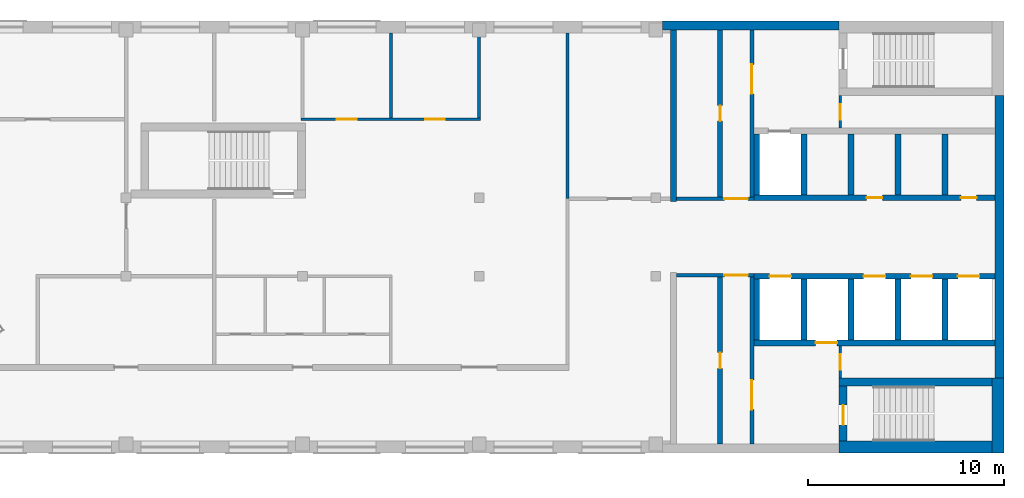
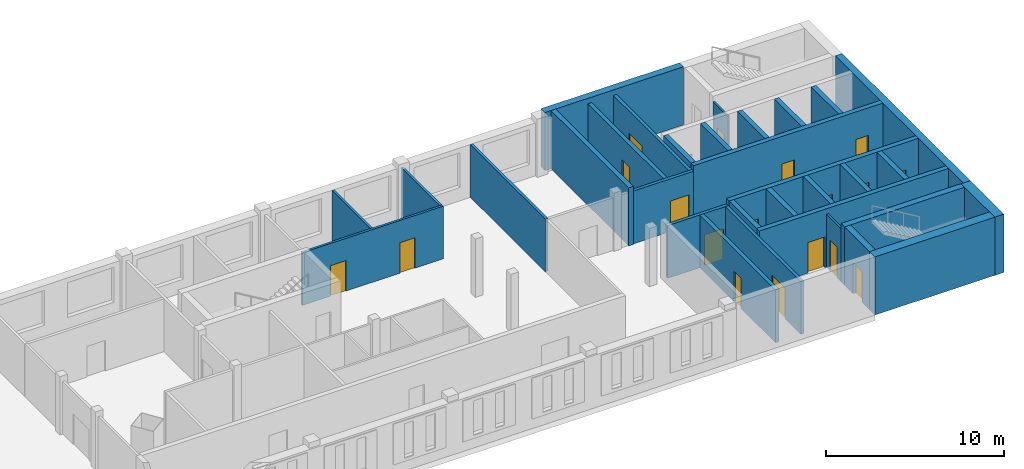
# One storey, part 3 of 5: 32 walls, 18 doors, 18 openings.
"""IFC4 building model written with IfcOpenShell, lengths in metres."""

from ifc_helpers import new_model, si_unit, direction, frame, frame_2d, origin, place, context, subcontext, project, spatial, rectangle, extrude, material, layer, layer_set, type_object, element, fill, save


model = new_model("IFC4")

# Units and contexts
model_context = context("Model", 3, precision=1e-05, world=origin(), true_north=direction((0.0, 1.0)))
body_context = subcontext(model_context, "Body", "Model", "MODEL_VIEW")
ifc_project = project(units=[si_unit("LENGTHUNIT", "METRE"), si_unit("AREAUNIT", "SQUARE_METRE"), si_unit("VOLUMEUNIT", "CUBIC_METRE"), si_unit("PLANEANGLEUNIT", "RADIAN"), si_unit("MASSUNIT", "GRAM", prefix="KILO")], contexts=[model_context])

# Site, building, storey
site_placement = place(None, origin())
site = spatial("IfcSite", under=ifc_project, at=site_placement, CompositionType="ELEMENT")
building_placement = place(site_placement, origin())
building = spatial("IfcBuilding", under=site, at=building_placement, Name="Skarvind Civic Tower", CompositionType="ELEMENT")
storey_placement = place(building_placement, frame((0.0, 0.0, 273.5)))
storey = spatial("IfcBuildingStorey", under=building, at=storey_placement, Name="L65", CompositionType="ELEMENT", Elevation=273.5)

# Wall
ifc_material_1 = material(Name="Acoustic gypsum board on steel studs", Category="steel")
ifc_layer_1 = layer(ifc_material_1, 0.175048828125)
ifc_layer_set_1 = layer_set([ifc_layer_1], Name="ACOUSTIC MEETING-ROOM PARTITION 175")
wall_type_1 = type_object("IfcWallType", Name="ACOUSTIC MEETING-ROOM PARTITION 175", PredefinedType="PARTITIONING", material=ifc_layer_set_1)
wall_1_placement = place(storey_placement, frame((85.75, 129.949951171875, 0.0), z_axis=(0.0, 0.0, 1.0), x_axis=(0.0, 1.0, 0.0)))
element("IfcWall", 1, at=wall_1_placement, inside=storey, type_object=wall_type_1, Name="Partition 65.021", PredefinedType="PARTITIONING", context=body_context, shape_type="SweptSolid", body=[
    extrude(rectangle(XDim=8.449951171875, YDim=0.175048828125, at=frame_2d((4.22509765625, 0.0))), origin(), (0.0, 0.0, 1.0), 3.625),
])

# Wall, opening, door
ifc_material_2 = material(Name="Fire-rated masonry partition", Category="masonry")
ifc_layer_2 = layer(ifc_material_2, 0.199951171875)
ifc_layer_set_2 = layer_set([ifc_layer_2], Name="Core enclosure wall 200")
wall_type_2 = type_object("IfcWallType", Name="Core enclosure wall 200", PredefinedType="PARTITIONING", material=ifc_layer_set_2)
wall_2_placement = place(storey_placement, frame((95.25, 126.050048828125, 0.0), z_axis=(0.0, 0.0, 1.0), x_axis=(-1.0, 0.0, 0.0)))
wall_2 = element("IfcWall", 2, at=wall_2_placement, inside=storey, type_object=wall_type_2, Name="Core wall C1", PredefinedType="PARTITIONING", context=body_context, shape_type="SweptSolid", body=[
    extrude(rectangle(XDim=3.949951171875, YDim=0.199951171875, at=frame_2d((1.97509765625, 0.0))), origin(), (0.0, 0.0, 1.0), 3.625),
])
opening_1_placement = place(wall_2_placement, frame((0.300048828125, 0.0, 0.0)))
opening_1 = element("IfcOpeningElement", 3, at=opening_1_placement, cuts=wall_2, Name="Opening D-L65-C1-07", PredefinedType="OPENING", context=body_context, shape_type="SweptSolid", body=[
    extrude(rectangle(XDim=1.199951171875, YDim=2.10009765625, at=frame_2d((0.60009765625, 1.050048828125))), frame((0.0, 0.10986328125, 0.0), z_axis=(0.0, -1.0, 0.0), x_axis=(1.0, 0.0, 0.0)), (0.0, 0.0, 1.0), 0.219970703125),
])
ifc_material_3 = material(Name="Fire-rated steel door", Category="steel")
door_type_1 = type_object("IfcDoorType", Name="Core lobby door 1200", OperationType="NOTDEFINED", PredefinedType="DOOR", material=ifc_material_3)
door_1_placement = place(opening_1_placement, origin())
door_1 = element("IfcDoor", 4, at=door_1_placement, inside=storey, type_object=door_type_1, Name="Fire door", OperationType="DOUBLE_DOOR_SINGLE_SWING", OverallHeight=2.10009765625, OverallWidth=1.199951171875, PredefinedType="DOOR", context=body_context, shape_type="SweptSolid", body=[
    extrude(rectangle(XDim=1.199951171875, YDim=2.10009765625, at=frame_2d((0.60009765625, 1.050048828125))), frame((0.0, 0.02490234375, 0.0), z_axis=(0.0, -1.0, 0.0), x_axis=(1.0, 0.0, 0.0)), (0.0, 0.0, 1.0), 0.050048828125),
])
fill(opening_1, door_1)

wall_3_placement = place(storey_placement, frame((95.14990234375, 117.449951171875, 0.0), z_axis=(0.0, 0.0, 1.0), x_axis=(0.0, 1.0, 0.0)))
wall_3 = element("IfcWall", 5, at=wall_3_placement, inside=storey, type_object=wall_type_2, Name="Core wall C1", PredefinedType="PARTITIONING", context=body_context, shape_type="SweptSolid", body=[
    extrude(rectangle(XDim=8.5, YDim=0.199951171875, at=frame_2d((4.25, 0.0))), origin(), (0.0, 0.0, 1.0), 3.625),
])
opening_2_placement = place(wall_3_placement, frame((1.75, 0.0, 0.0)))
opening_2 = element("IfcOpeningElement", 6, at=opening_2_placement, cuts=wall_3, Name="Opening D-L65-C1-08", PredefinedType="OPENING", context=body_context, shape_type="SweptSolid", body=[
    extrude(rectangle(XDim=1.5, YDim=2.10009765625, at=frame_2d((0.75, 1.050048828125))), frame((0.0, 0.10986328125, 0.0), z_axis=(0.0, -1.0, 0.0), x_axis=(1.0, 0.0, 0.0)), (0.0, 0.0, 1.0), 0.219970703125),
])
door_type_2 = type_object("IfcDoorType", Name="Fire door 1500", OperationType="NOTDEFINED", PredefinedType="DOOR", material=ifc_material_3)
door_2_placement = place(opening_2_placement, origin())
door_2 = element("IfcDoor", 7, at=door_2_placement, inside=storey, type_object=door_type_2, Name="Fire door", OperationType="DOUBLE_DOOR_SINGLE_SWING", OverallHeight=2.10009765625, OverallWidth=1.5, PredefinedType="DOOR", context=body_context, shape_type="SweptSolid", body=[
    extrude(rectangle(XDim=1.5, YDim=2.10009765625, at=frame_2d((0.75, 1.050048828125))), frame((0.0, 0.02490234375, 0.0), z_axis=(0.0, -1.0, 0.0), x_axis=(1.0, 0.0, 0.0)), (0.0, 0.0, 1.0), 0.050048828125),
])
fill(opening_2, door_2)

wall_4_placement = place(storey_placement, frame((91.300048828125, 129.949951171875, 0.0), z_axis=(0.0, 0.0, 1.0), x_axis=(1.0, 0.0, 0.0)))
wall_4 = element("IfcWall", 8, at=wall_4_placement, inside=storey, type_object=wall_type_2, Name="Core wall C1", PredefinedType="PARTITIONING", context=body_context, shape_type="SweptSolid", body=[
    extrude(rectangle(XDim=3.949951171875, YDim=0.199951171875, at=frame_2d((1.97509765625, 0.0))), origin(), (0.0, 0.0, 1.0), 3.625),
])
opening_3_placement = place(wall_4_placement, frame((2.449951171875, 0.0, 0.0)))
opening_3 = element("IfcOpeningElement", 9, at=opening_3_placement, cuts=wall_4, Name="Opening D-L65-C1-12", PredefinedType="OPENING", context=body_context, shape_type="SweptSolid", body=[
    extrude(rectangle(XDim=1.199951171875, YDim=2.10009765625, at=frame_2d((0.60009765625, 1.050048828125))), frame((0.0, 0.10986328125, 0.0), z_axis=(0.0, -1.0, 0.0), x_axis=(1.0, 0.0, 0.0)), (0.0, 0.0, 1.0), 0.219970703125),
])
door_3_placement = place(opening_3_placement, origin())
door_3 = element("IfcDoor", 10, at=door_3_placement, inside=storey, type_object=door_type_1, Name="Fire door", OperationType="DOUBLE_DOOR_SINGLE_SWING", OverallHeight=2.10009765625, OverallWidth=1.199951171875, PredefinedType="DOOR", context=body_context, shape_type="SweptSolid", body=[
    extrude(rectangle(XDim=1.199951171875, YDim=2.10009765625, at=frame_2d((0.60009765625, 1.050048828125))), frame((0.0, 0.02490234375, 0.0), z_axis=(0.0, -1.0, 0.0), x_axis=(1.0, 0.0, 0.0)), (0.0, 0.0, 1.0), 0.050048828125),
])
fill(opening_3, door_3)

wall_5_placement = place(storey_placement, frame((95.14990234375, 130.050048828125, 0.0), z_axis=(0.0, 0.0, 1.0), x_axis=(0.0, 1.0, 0.0)))
wall_5 = element("IfcWall", 11, at=wall_5_placement, inside=storey, type_object=wall_type_2, Name="Core wall C1", PredefinedType="PARTITIONING", context=body_context, shape_type="SweptSolid", body=[
    extrude(rectangle(XDim=8.5, YDim=0.199951171875, at=frame_2d((4.25, 0.0))), origin(), (0.0, 0.0, 1.0), 3.625),
])
opening_4_placement = place(wall_5_placement, frame((5.25, 0.0, 0.0)))
opening_4 = element("IfcOpeningElement", 12, at=opening_4_placement, cuts=wall_5, Name="Opening D-L65-C1-13", PredefinedType="OPENING", context=body_context, shape_type="SweptSolid", body=[
    extrude(rectangle(XDim=1.5, YDim=2.10009765625, at=frame_2d((0.75, 1.050048828125))), frame((0.0, 0.10986328125, 0.0), z_axis=(0.0, -1.0, 0.0), x_axis=(1.0, 0.0, 0.0)), (0.0, 0.0, 1.0), 0.219970703125),
])
door_4_placement = place(opening_4_placement, origin())
door_4 = element("IfcDoor", 13, at=door_4_placement, inside=storey, type_object=door_type_2, Name="Fire door", OperationType="DOUBLE_DOOR_SINGLE_SWING", OverallHeight=2.10009765625, OverallWidth=1.5, PredefinedType="DOOR", context=body_context, shape_type="SweptSolid", body=[
    extrude(rectangle(XDim=1.5, YDim=2.10009765625, at=frame_2d((0.75, 1.050048828125))), frame((0.0, 0.02490234375, 0.0), z_axis=(0.0, -1.0, 0.0), x_axis=(1.0, 0.0, 0.0)), (0.0, 0.0, 1.0), 0.050048828125),
])
fill(opening_4, door_4)

# Wall, openings, doors
ifc_material_4 = material(Name="Concrete C60", Category="concrete")
ifc_layer_3 = layer(ifc_material_4, 0.300048828125)
ifc_layer_set_3 = layer_set([ifc_layer_3], Name="Core wall 300 C60")
wall_type_3 = type_object("IfcWallType", Name="Core wall 300 C60", PredefinedType="SHEAR", material=ifc_layer_set_3)
wall_6_placement = place(storey_placement, frame((107.550048828125, 130.0, 0.0), z_axis=(0.0, 0.0, 1.0), x_axis=(-1.0, 0.0, 0.0)))
wall_6 = element("IfcWall", 14, at=wall_6_placement, inside=storey, type_object=wall_type_3, Name="Core wall C1 south lift row front L65", PredefinedType="SHEAR", context=body_context, shape_type="SweptSolid", body=[
    extrude(rectangle(XDim=12.300048828125, YDim=0.300048828125, at=frame_2d((6.14990234375, 0.0))), origin(), (0.0, 0.0, 1.0), 4.0),
])
opening_5_placement = place(wall_6_placement, frame((0.949951171875, 0.0, 0.0)))
opening_5 = element("IfcOpeningElement", 15, at=opening_5_placement, cuts=wall_6, Name="Opening D-L65-C1-05", PredefinedType="OPENING", context=body_context, shape_type="SweptSolid", body=[
    extrude(rectangle(XDim=0.800048828125, YDim=2.10009765625, at=frame_2d((0.39990234375, 1.050048828125))), frame((0.0, 0.159912109375, 0.0), z_axis=(0.0, -1.0, 0.0), x_axis=(1.0, 0.0, 0.0)), (0.0, 0.0, 1.0), 0.320068359375),
])
opening_6_placement = place(wall_6_placement, frame((5.75, 0.0, 0.0)))
opening_6 = element("IfcOpeningElement", 16, at=opening_6_placement, cuts=wall_6, Name="Opening D-L65-C1-06", PredefinedType="OPENING", context=body_context, shape_type="SweptSolid", body=[
    extrude(rectangle(XDim=0.800048828125, YDim=2.10009765625, at=frame_2d((0.39990234375, 1.050048828125))), frame((0.0, 0.159912109375, 0.0), z_axis=(0.0, -1.0, 0.0), x_axis=(1.0, 0.0, 0.0)), (0.0, 0.0, 1.0), 0.320068359375),
])
door_type_3 = type_object("IfcDoorType", Name="Core riser door 800", OperationType="NOTDEFINED", PredefinedType="DOOR", material=ifc_material_3)
door_5_placement = place(opening_5_placement, origin())
door_5 = element("IfcDoor", 17, at=door_5_placement, inside=storey, type_object=door_type_3, Name="Riser door", OperationType="SINGLE_SWING_LEFT", OverallHeight=2.10009765625, OverallWidth=0.800048828125, PredefinedType="DOOR", context=body_context, shape_type="SweptSolid", body=[
    extrude(rectangle(XDim=0.800048828125, YDim=2.10009765625, at=frame_2d((0.39990234375, 1.050048828125))), frame((0.0, 0.02490234375, 0.0), z_axis=(0.0, -1.0, 0.0), x_axis=(1.0, 0.0, 0.0)), (0.0, 0.0, 1.0), 0.050048828125),
])
fill(opening_5, door_5)
door_6_placement = place(opening_6_placement, origin())
door_6 = element("IfcDoor", 18, at=door_6_placement, inside=storey, type_object=door_type_3, Name="Riser door", OperationType="SINGLE_SWING_RIGHT", OverallHeight=2.10009765625, OverallWidth=0.800048828125, PredefinedType="DOOR", context=body_context, shape_type="SweptSolid", body=[
    extrude(rectangle(XDim=0.800048828125, YDim=2.10009765625, at=frame_2d((0.39990234375, 1.050048828125))), frame((0.0, 0.02490234375, 0.0), z_axis=(0.0, -1.0, 0.0), x_axis=(1.0, 0.0, 0.0)), (0.0, 0.0, 1.0), 0.050048828125),
])
fill(opening_6, door_6)

# Walls
for number, where, z_axis, x_axis, name in (
    (19, (105.0, 133.25, 0.0), (0.0, 0.0, 1.0), (0.0, -1.0, 0.0), "Core wall C1 south lift row division 1 L65"),
    (20, (102.60009765625, 133.25, 0.0), (0.0, 0.0, 1.0), (0.0, -1.0, 0.0), "Core wall C1 south lift row division 2 L65"),
    (21, (100.199951171875, 133.25, 0.0), (0.0, 0.0, 1.0), (0.0, -1.0, 0.0), "Core wall C1 south lift row division 3 L65"),
    (22, (97.800048828125, 133.25, 0.0), (0.0, 0.0, 1.0), (0.0, -1.0, 0.0), "Core wall C1 south lift row division 4 L65"),
    (23, (95.39990234375, 133.25, 0.0), (0.0, 0.0, 1.0), (0.0, -1.0, 0.0), "Core wall C1 south lift row division 5 L65"),
):
    element("IfcWall", number, at=place(storey_placement, frame(where, z_axis=z_axis, x_axis=x_axis)), inside=storey, type_object=wall_type_3, Name=name, PredefinedType="SHEAR", context=body_context, shape_type="SweptSolid", body=[
        extrude(rectangle(XDim=3.10009765625, YDim=0.300048828125, at=frame_2d((1.550048828125, 0.0))), origin(), (0.0, 0.0, 1.0), 4.0),
    ])

# Wall, openings, doors
wall_7_placement = place(storey_placement, frame((107.550048828125, 126.0, 0.0), z_axis=(0.0, 0.0, 1.0), x_axis=(-1.0, 0.0, 0.0)))
wall_7 = element("IfcWall", 24, at=wall_7_placement, inside=storey, type_object=wall_type_3, Name="Core wall C1 north lift row front L65", PredefinedType="SHEAR", context=body_context, shape_type="SweptSolid", body=[
    extrude(rectangle(XDim=12.300048828125, YDim=0.300048828125, at=frame_2d((6.14990234375, 0.0))), origin(), (0.0, 0.0, 1.0), 4.0),
])
opening_7_placement = place(wall_7_placement, frame((0.800048828125, 0.0, 0.0)))
opening_7 = element("IfcOpeningElement", 25, at=opening_7_placement, cuts=wall_7, Name="Opening LD67101", PredefinedType="OPENING", context=body_context, shape_type="SweptSolid", body=[
    extrude(rectangle(XDim=1.10009765625, YDim=2.10009765625, at=frame_2d((0.550048828125, 1.050048828125))), frame((0.0, 0.159912109375, 0.0), z_axis=(0.0, -1.0, 0.0), x_axis=(1.0, 0.0, 0.0)), (0.0, 0.0, 1.0), 0.320068359375),
])
opening_8_placement = place(wall_7_placement, frame((3.199951171875, 0.0, 0.0)))
opening_8 = element("IfcOpeningElement", 26, at=opening_8_placement, cuts=wall_7, Name="Opening LD67102", PredefinedType="OPENING", context=body_context, shape_type="SweptSolid", body=[
    extrude(rectangle(XDim=1.10009765625, YDim=2.10009765625, at=frame_2d((0.550048828125, 1.050048828125))), frame((0.0, 0.159912109375, 0.0), z_axis=(0.0, -1.0, 0.0), x_axis=(1.0, 0.0, 0.0)), (0.0, 0.0, 1.0), 0.320068359375),
])
opening_9_placement = place(wall_7_placement, frame((5.60009765625, 0.0, 0.0)))
opening_9 = element("IfcOpeningElement", 27, at=opening_9_placement, cuts=wall_7, Name="Opening LD67103", PredefinedType="OPENING", context=body_context, shape_type="SweptSolid", body=[
    extrude(rectangle(XDim=1.10009765625, YDim=2.10009765625, at=frame_2d((0.550048828125, 1.050048828125))), frame((0.0, 0.159912109375, 0.0), z_axis=(0.0, -1.0, 0.0), x_axis=(1.0, 0.0, 0.0)), (0.0, 0.0, 1.0), 0.320068359375),
])
opening_10_placement = place(wall_7_placement, frame((10.39990234375, 0.0, 0.0)))
opening_10 = element("IfcOpeningElement", 28, at=opening_10_placement, cuts=wall_7, Name="Opening LD67105", PredefinedType="OPENING", context=body_context, shape_type="SweptSolid", body=[
    extrude(rectangle(XDim=1.10009765625, YDim=2.10009765625, at=frame_2d((0.550048828125, 1.050048828125))), frame((0.0, 0.159912109375, 0.0), z_axis=(0.0, -1.0, 0.0), x_axis=(1.0, 0.0, 0.0)), (0.0, 0.0, 1.0), 0.320068359375),
])
ifc_material_5 = material(Name="Stainless steel landing door", Category="steel")
door_type_4 = type_object("IfcDoorType", Name="Lift landing door 1100", OperationType="DOUBLE_DOOR_SLIDING", PredefinedType="DOOR", material=ifc_material_5)
door_7_placement = place(opening_7_placement, origin())
door_7 = element("IfcDoor", 29, at=door_7_placement, inside=storey, type_object=door_type_4, Name="Lift landing door", OperationType="DOUBLE_DOOR_SLIDING", OverallHeight=2.10009765625, OverallWidth=1.10009765625, PredefinedType="DOOR", context=body_context, shape_type="SweptSolid", body=[
    extrude(rectangle(XDim=1.10009765625, YDim=2.10009765625, at=frame_2d((0.550048828125, 1.050048828125))), frame((0.0, 0.02490234375, 0.0), z_axis=(0.0, -1.0, 0.0), x_axis=(1.0, 0.0, 0.0)), (0.0, 0.0, 1.0), 0.050048828125),
])
fill(opening_7, door_7)
door_8_placement = place(opening_8_placement, origin())
door_8 = element("IfcDoor", 30, at=door_8_placement, inside=storey, type_object=door_type_4, Name="Lift landing door", OperationType="DOUBLE_DOOR_SLIDING", OverallHeight=2.10009765625, OverallWidth=1.10009765625, PredefinedType="DOOR", context=body_context, shape_type="SweptSolid", body=[
    extrude(rectangle(XDim=1.10009765625, YDim=2.10009765625, at=frame_2d((0.550048828125, 1.050048828125))), frame((0.0, 0.02490234375, 0.0), z_axis=(0.0, -1.0, 0.0), x_axis=(1.0, 0.0, 0.0)), (0.0, 0.0, 1.0), 0.050048828125),
])
fill(opening_8, door_8)
door_9_placement = place(opening_9_placement, origin())
door_9 = element("IfcDoor", 31, at=door_9_placement, inside=storey, type_object=door_type_4, Name="Lift landing door", OperationType="DOUBLE_DOOR_SLIDING", OverallHeight=2.10009765625, OverallWidth=1.10009765625, PredefinedType="DOOR", context=body_context, shape_type="SweptSolid", body=[
    extrude(rectangle(XDim=1.10009765625, YDim=2.10009765625, at=frame_2d((0.550048828125, 1.050048828125))), frame((0.0, 0.02490234375, 0.0), z_axis=(0.0, -1.0, 0.0), x_axis=(1.0, 0.0, 0.0)), (0.0, 0.0, 1.0), 0.050048828125),
])
fill(opening_9, door_9)
door_10_placement = place(opening_10_placement, origin())
door_10 = element("IfcDoor", 32, at=door_10_placement, inside=storey, type_object=door_type_4, Name="Lift landing door", OperationType="DOUBLE_DOOR_SLIDING", OverallHeight=2.10009765625, OverallWidth=1.10009765625, PredefinedType="DOOR", context=body_context, shape_type="SweptSolid", body=[
    extrude(rectangle(XDim=1.10009765625, YDim=2.10009765625, at=frame_2d((0.550048828125, 1.050048828125))), frame((0.0, 0.02490234375, 0.0), z_axis=(0.0, -1.0, 0.0), x_axis=(1.0, 0.0, 0.0)), (0.0, 0.0, 1.0), 0.050048828125),
])
fill(opening_10, door_10)

# Wall, opening, door
wall_8_placement = place(storey_placement, frame((107.550048828125, 122.60009765625, 0.0), z_axis=(0.0, 0.0, 1.0), x_axis=(-1.0, 0.0, 0.0)))
wall_8 = element("IfcWall", 33, at=wall_8_placement, inside=storey, type_object=wall_type_3, Name="Core wall C1 north lift row back L65", PredefinedType="SHEAR", context=body_context, shape_type="SweptSolid", body=[
    extrude(rectangle(XDim=12.300048828125, YDim=0.300048828125, at=frame_2d((6.14990234375, 0.0))), origin(), (0.0, 0.0, 1.0), 4.0),
])
opening_11_placement = place(wall_8_placement, frame((8.050048828125, 0.0, 0.0)))
opening_11 = element("IfcOpeningElement", 34, at=opening_11_placement, cuts=wall_8, Name="Opening LD67104", PredefinedType="OPENING", context=body_context, shape_type="SweptSolid", body=[
    extrude(rectangle(XDim=1.10009765625, YDim=2.10009765625, at=frame_2d((0.550048828125, 1.050048828125))), frame((0.0, 0.159912109375, 0.0), z_axis=(0.0, -1.0, 0.0), x_axis=(1.0, 0.0, 0.0)), (0.0, 0.0, 1.0), 0.320068359375),
])
door_11_placement = place(opening_11_placement, origin())
door_11 = element("IfcDoor", 35, at=door_11_placement, inside=storey, type_object=door_type_4, Name="Lift landing door", OperationType="DOUBLE_DOOR_SLIDING", OverallHeight=2.10009765625, OverallWidth=1.10009765625, PredefinedType="DOOR", context=body_context, shape_type="SweptSolid", body=[
    extrude(rectangle(XDim=1.10009765625, YDim=2.10009765625, at=frame_2d((0.550048828125, 1.050048828125))), frame((0.0, 0.02490234375, 0.0), z_axis=(0.0, -1.0, 0.0), x_axis=(1.0, 0.0, 0.0)), (0.0, 0.0, 1.0), 0.050048828125),
])
fill(opening_11, door_11)

# Walls
for number, where, z_axis, x_axis, name in (
    (36, (105.0, 125.85009765625, 0.0), (0.0, 0.0, 1.0), (0.0, -1.0, 0.0), "Core wall C1 north lift row division 1 L65"),
    (37, (102.60009765625, 125.85009765625, 0.0), (0.0, 0.0, 1.0), (0.0, -1.0, 0.0), "Core wall C1 north lift row division 2 L65"),
    (38, (100.199951171875, 125.85009765625, 0.0), (0.0, 0.0, 1.0), (0.0, -1.0, 0.0), "Core wall C1 north lift row division 3 L65"),
    (39, (97.800048828125, 125.85009765625, 0.0), (0.0, 0.0, 1.0), (0.0, -1.0, 0.0), "Core wall C1 north lift row division 4 L65"),
    (40, (95.39990234375, 125.85009765625, 0.0), (0.0, 0.0, 1.0), (0.0, -1.0, 0.0), "Core wall C1 north lift row division 5 L65"),
):
    element("IfcWall", number, at=place(storey_placement, frame(where, z_axis=z_axis, x_axis=x_axis)), inside=storey, type_object=wall_type_3, Name=name, PredefinedType="SHEAR", context=body_context, shape_type="SweptSolid", body=[
        extrude(rectangle(XDim=3.10009765625, YDim=0.300048828125, at=frame_2d((1.550048828125, 0.0))), origin(), (0.0, 0.0, 1.0), 4.0),
    ])
wall_9_placement = place(storey_placement, frame((91.14990234375, 138.550048828125, 0.0), z_axis=(0.0, 0.0, 1.0), x_axis=(0.0, -1.0, 0.0)))
element("IfcWall", 41, at=wall_9_placement, inside=storey, type_object=wall_type_3, Name="Core wall C1 south inner face L65", PredefinedType="SHEAR", context=body_context, shape_type="SweptSolid", body=[
    extrude(rectangle(XDim=8.75, YDim=0.300048828125, at=frame_2d((4.375, 0.0))), origin(), (0.0, 0.0, 1.0), 4.0),
])
ifc_layer_4 = layer(ifc_material_4, 0.39990234375)
ifc_layer_set_4 = layer_set([ifc_layer_4], Name="Core wall 400 C60")
wall_type_4 = type_object("IfcWallType", Name="Core wall 400 C60", PredefinedType="SHEAR", material=ifc_layer_set_4)
wall_10_placement = place(storey_placement, frame((107.39990234375, 120.60009765625, 0.0), z_axis=(0.0, 0.0, 1.0), x_axis=(-1.0, 0.0, 0.0)))
element("IfcWall", 42, at=wall_10_placement, inside=storey, type_object=wall_type_4, Name="Core wall C1 north stair inner L65", PredefinedType="SHEAR", context=body_context, shape_type="SweptSolid", body=[
    extrude(rectangle(XDim=7.7998046875, YDim=0.39990234375, at=frame_2d((3.89990234375, 0.0))), origin(), (0.0, 0.0, 1.0), 4.0),
])

# Wall, opening, door
wall_11_placement = place(storey_placement, frame((99.800048828125, 120.39990234375, 0.0), z_axis=(0.0, 0.0, 1.0), x_axis=(0.0, -1.0, 0.0)))
wall_11 = element("IfcWall", 43, at=wall_11_placement, inside=storey, type_object=wall_type_4, Name="Core wall C1 north stair end L65", PredefinedType="SHEAR", context=body_context, shape_type="SweptSolid", body=[
    extrude(rectangle(XDim=2.7998046875, YDim=0.39990234375, at=frame_2d((1.39990234375, 0.0))), origin(), (0.0, 0.0, 1.0), 4.0),
])
opening_12_placement = place(wall_11_placement, frame((0.97509765625, 0.0, 0.0)))
opening_12 = element("IfcOpeningElement", 44, at=opening_12_placement, cuts=wall_11, Name="Opening D-L65-C1-09", PredefinedType="OPENING", context=body_context, shape_type="SweptSolid", body=[
    extrude(rectangle(XDim=1.0, YDim=2.10009765625, at=frame_2d((0.5, 1.050048828125))), frame((0.0, 0.2099609375, 0.0), z_axis=(0.0, -1.0, 0.0), x_axis=(1.0, 0.0, 0.0)), (0.0, 0.0, 1.0), 0.419921875),
])
door_type_5 = type_object("IfcDoorType", Name="Fire door 1000", OperationType="NOTDEFINED", PredefinedType="DOOR", material=ifc_material_3)
door_12_placement = place(opening_12_placement, origin())
door_12 = element("IfcDoor", 45, at=door_12_placement, inside=storey, type_object=door_type_5, Name="Fire door", OperationType="SINGLE_SWING_LEFT", OverallHeight=2.10009765625, OverallWidth=1.0, PredefinedType="DOOR", context=body_context, shape_type="SweptSolid", body=[
    extrude(rectangle(XDim=1.0, YDim=2.10009765625, at=frame_2d((0.5, 1.050048828125))), frame((0.0, 0.02490234375, 0.0), z_axis=(0.0, -1.0, 0.0), x_axis=(1.0, 0.0, 0.0)), (0.0, 0.0, 1.0), 0.050048828125),
])
fill(opening_12, door_12)

# Walls
ifc_layer_5 = layer(ifc_material_4, 0.449951171875)
ifc_layer_set_5 = layer_set([ifc_layer_5], Name="Core wall 450 C60")
wall_type_5 = type_object("IfcWallType", Name="Core wall 450 C60", PredefinedType="SHEAR", material=ifc_layer_set_5)
wall_12_placement = place(storey_placement, frame((107.77490234375, 135.199951171875, 0.0), z_axis=(0.0, 0.0, 1.0), x_axis=(0.0, -1.0, 0.0)))
element("IfcWall", 46, at=wall_12_placement, inside=storey, type_object=wall_type_5, Name="Core wall C1 tip between the stairs L65", PredefinedType="SHEAR", context=body_context, shape_type="SweptSolid", body=[
    extrude(rectangle(XDim=14.39990234375, YDim=0.449951171875, at=frame_2d((7.199951171875, 0.0))), origin(), (0.0, 0.0, 1.0), 4.0),
])
wall_13_placement = place(storey_placement, frame((99.60009765625, 138.77490234375, 0.0), z_axis=(0.0, 0.0, 1.0), x_axis=(-1.0, 0.0, 0.0)))
element("IfcWall", 47, at=wall_13_placement, inside=storey, type_object=wall_type_5, Name="Core wall C1 south side L65", PredefinedType="SHEAR", context=body_context, shape_type="SweptSolid", body=[
    extrude(rectangle(XDim=9.0, YDim=0.449951171875, at=frame_2d((4.5, 0.0))), origin(), (0.0, 0.0, 1.0), 4.0),
])
ifc_layer_6 = layer(ifc_material_4, 0.60009765625)
ifc_layer_set_6 = layer_set([ifc_layer_6], Name="Core wall 600 C60")
wall_type_6 = type_object("IfcWallType", Name="Core wall 600 C60", PredefinedType="SHEAR", material=ifc_layer_set_6)
wall_14_placement = place(storey_placement, frame((107.699951171875, 120.800048828125, 0.0), z_axis=(0.0, 0.0, 1.0), x_axis=(0.0, -1.0, 0.0)))
element("IfcWall", 48, at=wall_14_placement, inside=storey, type_object=wall_type_6, Name="Core wall C1 tip at the north stair L65", PredefinedType="SHEAR", context=body_context, shape_type="SweptSolid", body=[
    extrude(rectangle(XDim=3.800048828125, YDim=0.60009765625, at=frame_2d((1.89990234375, 0.0))), origin(), (0.0, 0.0, 1.0), 4.0),
])
wall_15_placement = place(storey_placement, frame((107.39990234375, 117.300048828125, 0.0), z_axis=(0.0, 0.0, 1.0), x_axis=(-1.0, 0.0, 0.0)))
element("IfcWall", 49, at=wall_15_placement, inside=storey, type_object=wall_type_6, Name="Core wall C1 north side at the stair L65", PredefinedType="SHEAR", context=body_context, shape_type="SweptSolid", body=[
    extrude(rectangle(XDim=7.7998046875, YDim=0.60009765625, at=frame_2d((3.89990234375, 0.0))), origin(), (0.0, 0.0, 1.0), 4.0),
])

# Wall, openings, doors
ifc_material_6 = material(Name="Plasterboard partition on steel studs", Category="steel")
ifc_layer_7 = layer(ifc_material_6, 0.14990234375)
ifc_layer_set_7 = layer_set([ifc_layer_7], Name="PARTITION 150")
wall_type_7 = type_object("IfcWallType", Name="PARTITION 150", PredefinedType="PARTITIONING", material=ifc_layer_set_7)
wall_16_placement = place(storey_placement, frame((81.324951171875, 134.0, 0.0), z_axis=(0.0, 0.0, 1.0), x_axis=(-1.0, 0.0, 0.0)))
wall_16 = element("IfcWall", 50, at=wall_16_placement, inside=storey, type_object=wall_type_7, Name="Partition 65.015", PredefinedType="PARTITIONING", context=body_context, shape_type="SweptSolid", body=[
    extrude(rectangle(XDim=9.14990234375, YDim=0.14990234375, at=frame_2d((4.574951171875, 0.0))), origin(), (0.0, 0.0, 1.0), 3.625),
])
opening_13_placement = place(wall_16_placement, frame((1.824951171875, 0.0, 0.0)))
opening_13 = element("IfcOpeningElement", 51, at=opening_13_placement, cuts=wall_16, Name="Opening L65-D006", PredefinedType="OPENING", context=body_context, shape_type="SweptSolid", body=[
    extrude(rectangle(XDim=1.0, YDim=2.10009765625, at=frame_2d((0.5, 1.050048828125))), frame((0.0, 0.0849609375, 0.0), z_axis=(0.0, -1.0, 0.0), x_axis=(1.0, 0.0, 0.0)), (0.0, 0.0, 1.0), 0.169921875),
])
opening_14_placement = place(wall_16_placement, frame((6.324951171875, 0.0, 0.0)))
opening_14 = element("IfcOpeningElement", 52, at=opening_14_placement, cuts=wall_16, Name="Opening L65-D007", PredefinedType="OPENING", context=body_context, shape_type="SweptSolid", body=[
    extrude(rectangle(XDim=1.0, YDim=2.10009765625, at=frame_2d((0.5, 1.050048828125))), frame((0.0, 0.0849609375, 0.0), z_axis=(0.0, -1.0, 0.0), x_axis=(1.0, 0.0, 0.0)), (0.0, 0.0, 1.0), 0.169921875),
])
ifc_material_7 = material(Name="Timber door leaf", Category="wood")
door_type_6 = type_object("IfcDoorType", Name="D1 1000x2100", OperationType="NOTDEFINED", PredefinedType="DOOR", material=ifc_material_7)
door_13_placement = place(opening_13_placement, origin())
door_13 = element("IfcDoor", 53, at=door_13_placement, inside=storey, type_object=door_type_6, Name="Door L65-D006", OperationType="SINGLE_SWING_LEFT", OverallHeight=2.10009765625, OverallWidth=1.0, PredefinedType="DOOR", context=body_context, shape_type="SweptSolid", body=[
    extrude(rectangle(XDim=1.0, YDim=2.10009765625, at=frame_2d((0.5, 1.050048828125))), frame((0.0, 0.02490234375, 0.0), z_axis=(0.0, -1.0, 0.0), x_axis=(1.0, 0.0, 0.0)), (0.0, 0.0, 1.0), 0.050048828125),
])
fill(opening_13, door_13)
door_14_placement = place(opening_14_placement, origin())
door_14 = element("IfcDoor", 54, at=door_14_placement, inside=storey, type_object=door_type_6, Name="Door L65-D007", OperationType="SINGLE_SWING_RIGHT", OverallHeight=2.10009765625, OverallWidth=1.0, PredefinedType="DOOR", context=body_context, shape_type="SweptSolid", body=[
    extrude(rectangle(XDim=1.0, YDim=2.10009765625, at=frame_2d((0.5, 1.050048828125))), frame((0.0, 0.02490234375, 0.0), z_axis=(0.0, -1.0, 0.0), x_axis=(1.0, 0.0, 0.0)), (0.0, 0.0, 1.0), 0.050048828125),
])
fill(opening_14, door_14)

# Walls
for number, where, z_axis, x_axis, name in (
    (55, (76.75, 134.074951171875, 0.0), (0.0, 0.0, 1.0), (0.0, 1.0, 0.0), "Partition 65.018"),
    (56, (81.25, 138.39990234375, 0.0), (0.0, 0.0, 1.0), (0.0, -1.0, 0.0), "Partition 65.019"),
):
    element("IfcWall", number, at=place(storey_placement, frame(where, z_axis=z_axis, x_axis=x_axis)), inside=storey, type_object=wall_type_7, Name=name, PredefinedType="PARTITIONING", context=body_context, shape_type="SweptSolid", body=[
        extrude(rectangle(XDim=4.324951171875, YDim=0.14990234375, at=frame_2d((2.16259765625, 0.0))), origin(), (0.0, 0.0, 1.0), 3.625),
    ])

# Wall, opening, door
ifc_layer_8 = layer(ifc_material_2, 0.125)
ifc_layer_set_8 = layer_set([ifc_layer_8], Name="Riser wall 125")
wall_type_8 = type_object("IfcWallType", Name="Riser wall 125", PredefinedType="PARTITIONING", material=ifc_layer_set_8)
wall_17_placement = place(storey_placement, frame((99.66259765625, 120.800048828125, 0.0), z_axis=(0.0, 0.0, 1.0), x_axis=(0.0, 1.0, 0.0)))
wall_17 = element("IfcWall", 57, at=wall_17_placement, inside=storey, type_object=wall_type_8, Name="Core wall C1", PredefinedType="PARTITIONING", context=body_context, shape_type="SweptSolid", body=[
    extrude(rectangle(XDim=1.64990234375, YDim=0.125, at=frame_2d((0.824951171875, 0.0))), origin(), (0.0, 0.0, 1.0), 3.625),
])
opening_15_placement = place(wall_17_placement, frame((0.425048828125, 0.0, 0.0)))
opening_15 = element("IfcOpeningElement", 58, at=opening_15_placement, cuts=wall_17, Name="Opening D-L65-C1-10", PredefinedType="OPENING", context=body_context, shape_type="SweptSolid", body=[
    extrude(rectangle(XDim=0.800048828125, YDim=2.10009765625, at=frame_2d((0.39990234375, 1.050048828125))), frame((0.0, 0.072509765625, 0.0), z_axis=(0.0, -1.0, 0.0), x_axis=(1.0, 0.0, 0.0)), (0.0, 0.0, 1.0), 0.14501953125),
])
door_15_placement = place(opening_15_placement, origin())
door_15 = element("IfcDoor", 59, at=door_15_placement, inside=storey, type_object=door_type_3, Name="Riser door", OperationType="SINGLE_SWING_RIGHT", OverallHeight=2.10009765625, OverallWidth=0.800048828125, PredefinedType="DOOR", context=body_context, shape_type="SweptSolid", body=[
    extrude(rectangle(XDim=0.800048828125, YDim=2.10009765625, at=frame_2d((0.39990234375, 1.050048828125))), frame((0.0, 0.02490234375, 0.0), z_axis=(0.0, -1.0, 0.0), x_axis=(1.0, 0.0, 0.0)), (0.0, 0.0, 1.0), 0.050048828125),
])
fill(opening_15, door_15)

wall_18_placement = place(storey_placement, frame((99.66259765625, 133.550048828125, 0.0), z_axis=(0.0, 0.0, 1.0), x_axis=(0.0, 1.0, 0.0)))
wall_18 = element("IfcWall", 60, at=wall_18_placement, inside=storey, type_object=wall_type_8, Name="Core wall C1", PredefinedType="PARTITIONING", context=body_context, shape_type="SweptSolid", body=[
    extrude(rectangle(XDim=1.64990234375, YDim=0.125, at=frame_2d((0.824951171875, 0.0))), origin(), (0.0, 0.0, 1.0), 3.625),
])
opening_16_placement = place(wall_18_placement, frame((0.425048828125, 0.0, 0.0)))
opening_16 = element("IfcOpeningElement", 61, at=opening_16_placement, cuts=wall_18, Name="Opening D-L65-C1-15", PredefinedType="OPENING", context=body_context, shape_type="SweptSolid", body=[
    extrude(rectangle(XDim=0.800048828125, YDim=2.10009765625, at=frame_2d((0.39990234375, 1.050048828125))), frame((0.0, 0.072509765625, 0.0), z_axis=(0.0, -1.0, 0.0), x_axis=(1.0, 0.0, 0.0)), (0.0, 0.0, 1.0), 0.14501953125),
])
door_16_placement = place(opening_16_placement, origin())
door_16 = element("IfcDoor", 62, at=door_16_placement, inside=storey, type_object=door_type_3, Name="Riser door", OperationType="SINGLE_SWING_LEFT", OverallHeight=2.10009765625, OverallWidth=0.800048828125, PredefinedType="DOOR", context=body_context, shape_type="SweptSolid", body=[
    extrude(rectangle(XDim=0.800048828125, YDim=2.10009765625, at=frame_2d((0.39990234375, 1.050048828125))), frame((0.0, 0.02490234375, 0.0), z_axis=(0.0, -1.0, 0.0), x_axis=(1.0, 0.0, 0.0)), (0.0, 0.0, 1.0), 0.050048828125),
])
fill(opening_16, door_16)

ifc_layer_9 = layer(ifc_material_2, 0.25)
ifc_layer_set_9 = layer_set([ifc_layer_9], Name="Service block wall 250")
wall_type_9 = type_object("IfcWallType", Name="Service block wall 250", PredefinedType="PARTITIONING", material=ifc_layer_set_9)
wall_19_placement = place(storey_placement, frame((93.52490234375, 117.449951171875, 0.0), z_axis=(0.0, 0.0, 1.0), x_axis=(0.0, 1.0, 0.0)))
wall_19 = element("IfcWall", 63, at=wall_19_placement, inside=storey, type_object=wall_type_9, Name="Core wall C1", PredefinedType="PARTITIONING", context=body_context, shape_type="SweptSolid", body=[
    extrude(rectangle(XDim=8.5, YDim=0.25, at=frame_2d((4.25, 0.0))), origin(), (0.0, 0.0, 1.0), 3.625),
])
opening_17_placement = place(wall_19_placement, frame((3.85009765625, 0.0, 0.0)))
opening_17 = element("IfcOpeningElement", 64, at=opening_17_placement, cuts=wall_19, Name="Opening D-L65-C1-11", PredefinedType="OPENING", context=body_context, shape_type="SweptSolid", body=[
    extrude(rectangle(XDim=0.800048828125, YDim=2.10009765625, at=frame_2d((0.39990234375, 1.050048828125))), frame((0.0, 0.135009765625, 0.0), z_axis=(0.0, -1.0, 0.0), x_axis=(1.0, 0.0, 0.0)), (0.0, 0.0, 1.0), 0.27001953125),
])
door_17_placement = place(opening_17_placement, origin())
door_17 = element("IfcDoor", 65, at=door_17_placement, inside=storey, type_object=door_type_3, Name="Riser door", OperationType="SINGLE_SWING_LEFT", OverallHeight=2.10009765625, OverallWidth=0.800048828125, PredefinedType="DOOR", context=body_context, shape_type="SweptSolid", body=[
    extrude(rectangle(XDim=0.800048828125, YDim=2.10009765625, at=frame_2d((0.39990234375, 1.050048828125))), frame((0.0, 0.02490234375, 0.0), z_axis=(0.0, -1.0, 0.0), x_axis=(1.0, 0.0, 0.0)), (0.0, 0.0, 1.0), 0.050048828125),
])
fill(opening_17, door_17)

wall_20_placement = place(storey_placement, frame((93.52490234375, 130.050048828125, 0.0), z_axis=(0.0, 0.0, 1.0), x_axis=(0.0, 1.0, 0.0)))
wall_20 = element("IfcWall", 66, at=wall_20_placement, inside=storey, type_object=wall_type_9, Name="Core wall C1", PredefinedType="PARTITIONING", context=body_context, shape_type="SweptSolid", body=[
    extrude(rectangle(XDim=8.5, YDim=0.25, at=frame_2d((4.25, 0.0))), origin(), (0.0, 0.0, 1.0), 3.625),
])
opening_18_placement = place(wall_20_placement, frame((3.85009765625, 0.0, 0.0)))
opening_18 = element("IfcOpeningElement", 67, at=opening_18_placement, cuts=wall_20, Name="Opening D-L65-C1-16", PredefinedType="OPENING", context=body_context, shape_type="SweptSolid", body=[
    extrude(rectangle(XDim=0.800048828125, YDim=2.10009765625, at=frame_2d((0.39990234375, 1.050048828125))), frame((0.0, 0.135009765625, 0.0), z_axis=(0.0, -1.0, 0.0), x_axis=(1.0, 0.0, 0.0)), (0.0, 0.0, 1.0), 0.27001953125),
])
door_18_placement = place(opening_18_placement, origin())
door_18 = element("IfcDoor", 68, at=door_18_placement, inside=storey, type_object=door_type_3, Name="Riser door", OperationType="SINGLE_SWING_RIGHT", OverallHeight=2.10009765625, OverallWidth=0.800048828125, PredefinedType="DOOR", context=body_context, shape_type="SweptSolid", body=[
    extrude(rectangle(XDim=0.800048828125, YDim=2.10009765625, at=frame_2d((0.39990234375, 1.050048828125))), frame((0.0, 0.02490234375, 0.0), z_axis=(0.0, -1.0, 0.0), x_axis=(1.0, 0.0, 0.0)), (0.0, 0.0, 1.0), 0.050048828125),
])
fill(opening_18, door_18)

save(model, "model.ifc")
